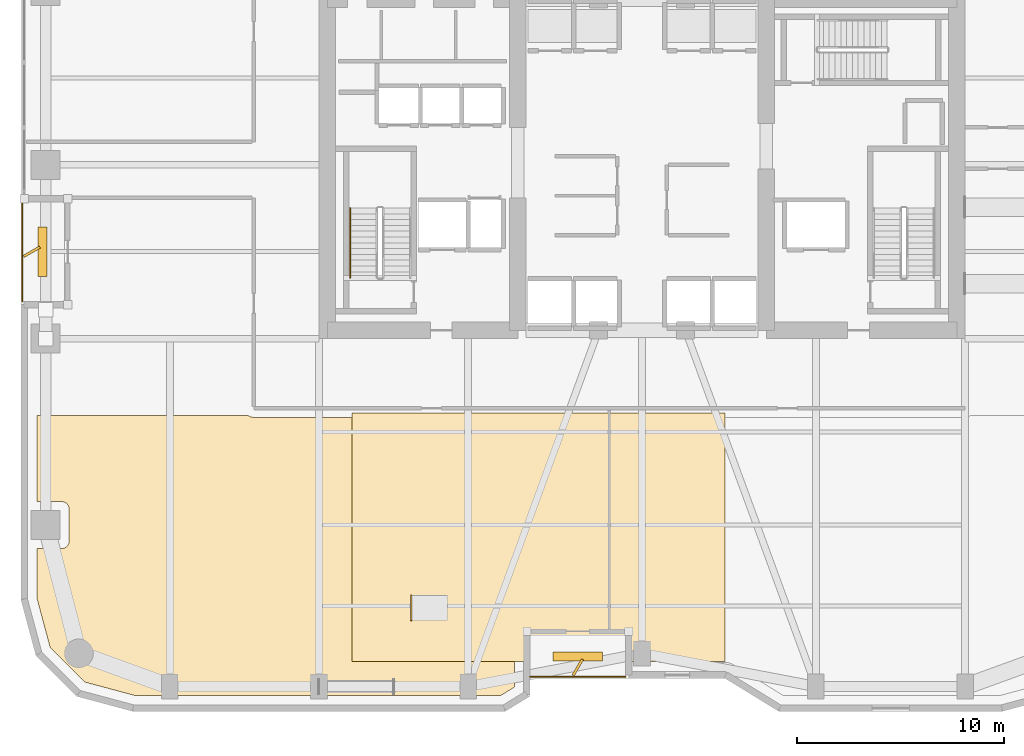
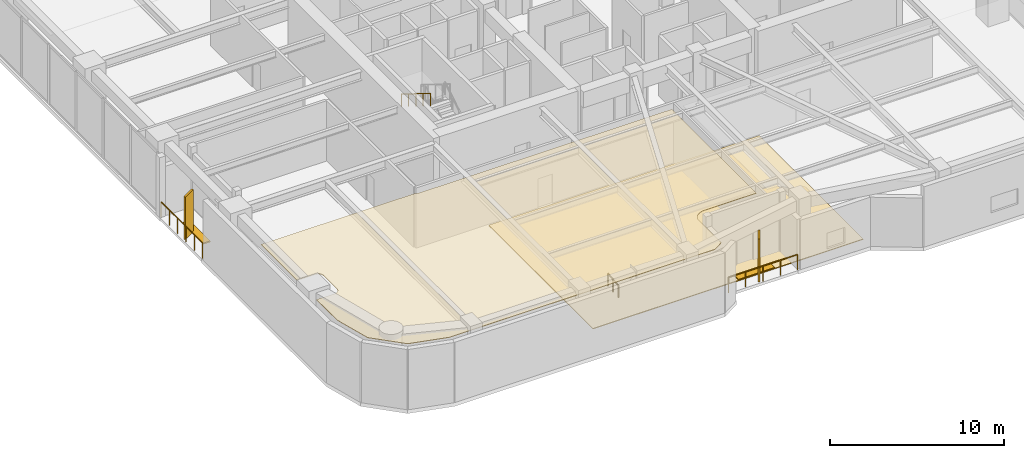
# One storey, part 18 of 23: 4 railings, 4 shading devices, 2 coverings.
"""IFC4 building model written with IfcOpenShell, lengths in metres."""

from ifc_helpers import new_model, si_unit, direction, frame, origin, origin_2d, place, context, subcontext, project, spatial, polyline, rectangle, outline, extrude, material, layer, layer_set, type_object, element, save


model = new_model("IFC4")

# Units and contexts
model_context = context("Model", 3, precision=1e-05, world=origin(), true_north=direction((0.0, 1.0)))
body_context = subcontext(model_context, "Body", "Model", "MODEL_VIEW")
ifc_project = project(units=[si_unit("LENGTHUNIT", "METRE"), si_unit("AREAUNIT", "SQUARE_METRE"), si_unit("VOLUMEUNIT", "CUBIC_METRE"), si_unit("PLANEANGLEUNIT", "RADIAN"), si_unit("MASSUNIT", "GRAM", prefix="KILO")], contexts=[model_context])

# Site, building, storey
site_placement = place(None, origin())
site = spatial("IfcSite", under=ifc_project, at=site_placement, CompositionType="ELEMENT")
building_placement = place(site_placement, origin())
building = spatial("IfcBuilding", under=site, at=building_placement, Name="Kiyonajd Concourse Tower", CompositionType="ELEMENT")
storey_placement = place(building_placement, frame((0.0, 0.0, 120.89990234375)))
storey = spatial("IfcBuildingStorey", under=building, at=storey_placement, Name="L31", CompositionType="ELEMENT", Elevation=120.89990234375)

# Coverings
ifc_material_1 = material(Name="Natural Oak Acoustic Timber Veneer", Category="wood")
ifc_layer_1 = layer(ifc_material_1, 0.0400390625)
ifc_layer_set_1 = layer_set([ifc_layer_1], Name="Natural Oak Acoustic Timber Veneer")
covering_type_1 = type_object("IfcCoveringType", Name="CV-CLG-ACST", PredefinedType="CEILING", material=ifc_layer_set_1)
covering_1_placement = place(storey_placement, frame((0.0, 0.0, 4.06005859375)))
element("IfcCovering", 1, at=covering_1_placement, inside=storey, type_object=covering_type_1, Name="L31-44 Room Acoustic Ceiling", PredefinedType="CEILING", context=body_context, shape_type="SweptSolid", body=[
    extrude(outline(polyline([(29.001953125, 23.8798828125), (29.056884765625, 23.845947265625), (29.1201171875, 23.820068359375), (29.25, 23.800048828125), (46.070068359375, 23.800048828125), (46.070068359375, 14.070068359375), (42.55908203125, 14.068115234375), (42.43310546875, 14.052001953125), (42.321044921875, 14.01708984375), (42.199951171875, 13.95703125), (42.1279296875, 13.907958984375), (42.014892578125, 13.801025390625), (41.943115234375, 13.699951171875), (41.89208984375, 13.60400390625), (41.868896484375, 13.5400390625), (41.8359375, 13.39208984375), (41.830078125, 10.76904296875), (41.181884765625, 10.3701171875), (23.5009765625, 10.3701171875), (21.097900390625, 11.013916015625), (19.4140625, 12.697998046875), (18.77001953125, 15.10107421875), (18.77001953125, 17.469970703125), (19.97998046875, 17.469970703125), (20.048095703125, 17.47705078125), (20.14501953125, 17.510986328125), (20.201904296875, 17.549072265625), (20.2509765625, 17.597900390625), (20.2890625, 17.655029296875), (20.31494140625, 17.718017578125), (20.330078125, 17.820068359375), (20.330078125, 19.3798828125), (20.31494140625, 19.48193359375), (20.2890625, 19.544921875), (20.2509765625, 19.60205078125), (20.201904296875, 19.65087890625), (20.14501953125, 19.68896484375), (20.08203125, 19.715087890625), (20.013916015625, 19.72802734375), (18.77001953125, 19.72998046875), (18.77001953125, 23.8798828125), (29.001953125, 23.8798828125)])), origin(), (0.0, 0.0, 1.0), 0.0400390625),
])
ifc_material_2 = material(Name="Riyadh Jubaila Limestone", Category="masonry")
ifc_layer_2 = layer(ifc_material_2, 0.050048828125)
ifc_layer_set_2 = layer_set([ifc_layer_2], Name="Riyadh Jubaila Limestone")
covering_type_2 = type_object("IfcCoveringType", Name="CV-FLR-RAISED", PredefinedType="FLOORING", material=ifc_layer_set_2)
covering_2_placement = place(storey_placement, origin())
element("IfcCovering", 2, at=covering_2_placement, inside=storey, type_object=covering_type_2, Name="L31 Limestone Floor Finish", PredefinedType="FLOORING", context=body_context, shape_type="SweptSolid", body=[
    extrude(outline(polyline([(34.0, 12.0), (52.0, 12.0), (52.0, 24.0), (34.0, 24.0), (34.0, 12.0)])), origin(), (0.0, 0.0, 1.0), 0.050048828125),
])

# Railings
ifc_material_3 = material(Name="Thermally Broken Anodised Aluminium", Category="aluminium")
railing_type_1 = type_object("IfcRailingType", Name="RL-GRD-LOG", PredefinedType="GUARDRAIL", material=ifc_material_3)
railing_1_placement = place(storey_placement, frame((42.60009765625, 11.280029296875, 0.0)))
element("IfcRailing", 3, at=railing_1_placement, inside=storey, type_object=railing_type_1, Name="L31 Engawa Loggia Perimeter Guard LOG-S", PredefinedType="GUARDRAIL", context=body_context, shape_type="SweptSolid", body=[
    extrude(rectangle(XDim=0.048095703125, YDim=0.048095703125, at=origin_2d()), frame((0.0, 0.0, 1.076171875), z_axis=(1.0, 0.0, 0.0), x_axis=(0.0, 1.0, 0.0)), (0.0, 0.0, 1.0), 4.599853515625),
    extrude(rectangle(XDim=0.0419921875, YDim=0.0419921875, at=origin_2d()), origin(), (0.0, 0.0, 1.0), 1.052001953125),
    extrude(rectangle(XDim=0.0419921875, YDim=0.0419921875, at=origin_2d()), frame((1.14990234375, 0.0, 0.0)), (0.0, 0.0, 1.0), 1.052001953125),
    extrude(rectangle(XDim=0.0419921875, YDim=0.0419921875, at=origin_2d()), frame((2.2998046875, 0.0, 0.0)), (0.0, 0.0, 1.0), 1.052001953125),
    extrude(rectangle(XDim=0.0419921875, YDim=0.0419921875, at=origin_2d()), frame((3.449951171875, 0.0, 0.0)), (0.0, 0.0, 1.0), 1.052001953125),
    extrude(rectangle(XDim=0.0419921875, YDim=0.0419921875, at=origin_2d()), frame((4.599853515625, 0.0, 0.0)), (0.0, 0.0, 1.0), 1.052001953125),
])
railing_2_placement = place(storey_placement, frame((18.080078125, 34.199951171875, 0.0)))
element("IfcRailing", 4, at=railing_2_placement, inside=storey, type_object=railing_type_1, Name="L31 Engawa Loggia Perimeter Guard LOG-W", PredefinedType="GUARDRAIL", context=body_context, shape_type="SweptSolid", body=[
    extrude(rectangle(XDim=0.048095703125, YDim=0.048095703125, at=origin_2d()), frame((0.0, 0.0, 1.076171875), z_axis=(0.0, -1.0, 0.0), x_axis=(1.0, 0.0, 0.0)), (0.0, 0.0, 1.0), 4.800048828125),
    extrude(rectangle(XDim=0.0419921875, YDim=0.0419921875, at=origin_2d()), origin(), (0.0, 0.0, 1.0), 1.052001953125),
    extrude(rectangle(XDim=0.0419921875, YDim=0.0419921875, at=origin_2d()), frame((0.0, -0.9599609375, 0.0)), (0.0, 0.0, 1.0), 1.052001953125),
    extrude(rectangle(XDim=0.0419921875, YDim=0.0419921875, at=origin_2d()), frame((0.0, -1.919921875, 0.0)), (0.0, 0.0, 1.0), 1.052001953125),
    extrude(rectangle(XDim=0.0419921875, YDim=0.0419921875, at=origin_2d()), frame((0.0, -2.880126953125, 0.0)), (0.0, 0.0, 1.0), 1.052001953125),
    extrude(rectangle(XDim=0.0419921875, YDim=0.0419921875, at=origin_2d()), frame((0.0, -3.840087890625, 0.0)), (0.0, 0.0, 1.0), 1.052001953125),
    extrude(rectangle(XDim=0.0419921875, YDim=0.0419921875, at=origin_2d()), frame((0.0, -4.800048828125, 0.0)), (0.0, 0.0, 1.0), 1.052001953125),
])
ifc_material_4 = material(Name="Brushed Stainless Steel Cab Assembly", Category="steel")
railing_type_2 = type_object("IfcRailingType", Name="RL-HND-900", PredefinedType="HANDRAIL", material=ifc_material_4)
railing_3_placement = place(storey_placement, frame((33.89990234375, 33.909912109375, 2.423095703125)))
element("IfcRailing", 5, at=railing_3_placement, inside=storey, type_object=railing_type_2, Name="L31 ST1 stair handrail 2", PredefinedType="HANDRAIL", context=body_context, shape_type="SweptSolid", body=[
    extrude(rectangle(XDim=0.048095703125, YDim=0.048095703125, at=origin_2d()), frame((0.0, 0.0, 0.8759765625), z_axis=(0.0, -0.850606129759, 0.525803396734), x_axis=(1.0, 0.0, 0.0)), (0.0, 0.0, 1.0), 3.949951171875),
    extrude(rectangle(XDim=0.0419921875, YDim=0.0419921875, at=origin_2d()), origin(), (0.0, 0.0, 1.0), 0.851806640625),
    extrude(rectangle(XDim=0.0419921875, YDim=0.0419921875, at=origin_2d()), frame((0.0, -0.83984375, 0.519287109375)), (0.0, 0.0, 1.0), 0.851806640625),
    extrude(rectangle(XDim=0.0419921875, YDim=0.0419921875, at=origin_2d()), frame((0.0, -1.679931640625, 1.03857421875)), (0.0, 0.0, 1.0), 0.851806640625),
    extrude(rectangle(XDim=0.0419921875, YDim=0.0419921875, at=origin_2d()), frame((0.0, -2.52001953125, 1.5576171875)), (0.0, 0.0, 1.0), 0.851806640625),
    extrude(rectangle(XDim=0.0419921875, YDim=0.0419921875, at=origin_2d()), frame((0.0, -3.35986328125, 2.076904296875)), (0.0, 0.0, 1.0), 0.851806640625),
])
railing_4_placement = place(storey_placement, frame((36.85009765625, 14.0, 0.0)))
element("IfcRailing", 6, at=railing_4_placement, inside=storey, type_object=railing_type_2, Name="L31 Accessible Ramp Handrail", PredefinedType="HANDRAIL", context=body_context, shape_type="SweptSolid", body=[
    extrude(rectangle(XDim=0.048095703125, YDim=0.048095703125, at=origin_2d()), frame((0.0, 0.0, 0.8759765625), z_axis=(0.0, 0.996538763176, 0.083129378007), x_axis=(-1.0, 0.0, 0.0)), (0.0, 0.0, 1.0), 1.2041015625),
    extrude(rectangle(XDim=0.0419921875, YDim=0.0419921875, at=origin_2d()), origin(), (0.0, 0.0, 1.0), 0.851806640625),
    extrude(rectangle(XDim=0.0419921875, YDim=0.0419921875, at=origin_2d()), frame((0.0, 0.60009765625, 0.050048828125)), (0.0, 0.0, 1.0), 0.851806640625),
    extrude(rectangle(XDim=0.0419921875, YDim=0.0419921875, at=origin_2d()), frame((0.0, 1.199951171875, 0.10009765625)), (0.0, 0.0, 1.0), 0.851806640625),
])

# Shading devices
ifc_material_5 = material(Name="Precast concrete C50/60", Category="concrete")
shading_device_type_1 = type_object("IfcShadingDeviceType", Name="SH-FIN-900", PredefinedType="USERDEFINED", material=ifc_material_5)
for number, where, z_axis, x_axis, name in (
    (7, (44.89990234375, 11.72998046875, 0.0), (0.0, 0.0, 1.0), (0.5, 0.866025403784, 0.0), "L31 Angled Koshi Solar Fin LOG-S"),
    (8, (18.530029296875, 31.800048828125, 0.0), (0.0, 0.0, 1.0), (0.866025403784, 0.5, 0.0), "L31 Angled Koshi Solar Fin LOG-W"),
):
    element("IfcShadingDevice", number, at=place(storey_placement, frame(where, z_axis=z_axis, x_axis=x_axis)), inside=storey, type_object=shading_device_type_1, Name=name, ObjectType="FIN", PredefinedType="USERDEFINED", context=body_context, shape_type="SweptSolid", body=[
        extrude(rectangle(XDim=0.89990234375, YDim=0.1201171875, at=origin_2d()), origin(), (0.0, 0.0, 1.0), 3.0),
    ])
shading_device_type_2 = type_object("IfcShadingDeviceType", Name="SH-LVR-600", PredefinedType="JALOUSIE", material=ifc_material_3)
for number, where, z_axis, x_axis, name in (
    (9, (44.89990234375, 12.25, 0.0), (0.0, 0.0, 1.0), (1.0, 0.0, 0.0), "L31 Loggia Threshold Louver LOG-S"),
    (10, (19.050048828125, 31.800048828125, 0.0), (0.0, 0.0, 1.0), (0.0, 1.0, 0.0), "L31 Loggia Threshold Louver LOG-W"),
):
    element("IfcShadingDevice", number, at=place(storey_placement, frame(where, z_axis=z_axis, x_axis=x_axis)), inside=storey, type_object=shading_device_type_2, Name=name, PredefinedType="JALOUSIE", context=body_context, shape_type="SweptSolid", body=[
        extrude(rectangle(XDim=2.39990234375, YDim=0.449951171875, at=origin_2d()), origin(), (0.0, 0.0, 1.0), 0.10009765625),
    ])

save(model, "model.ifc")
